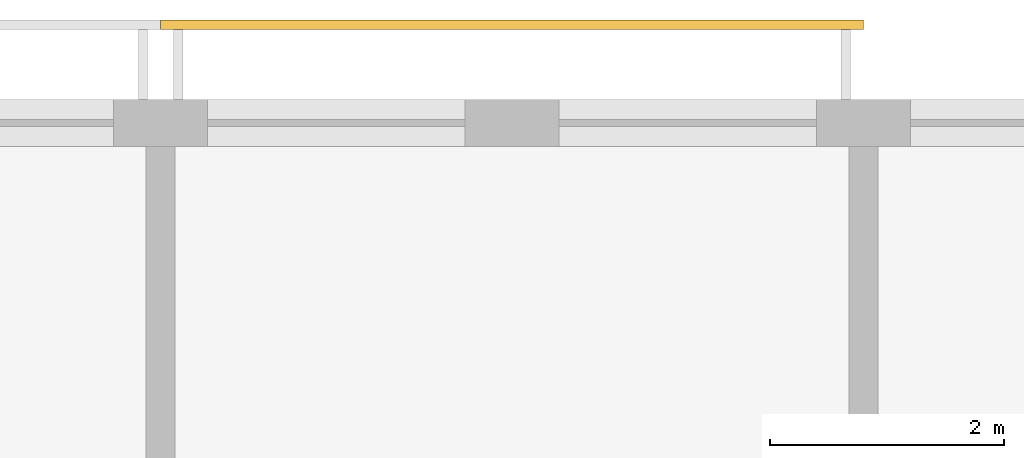
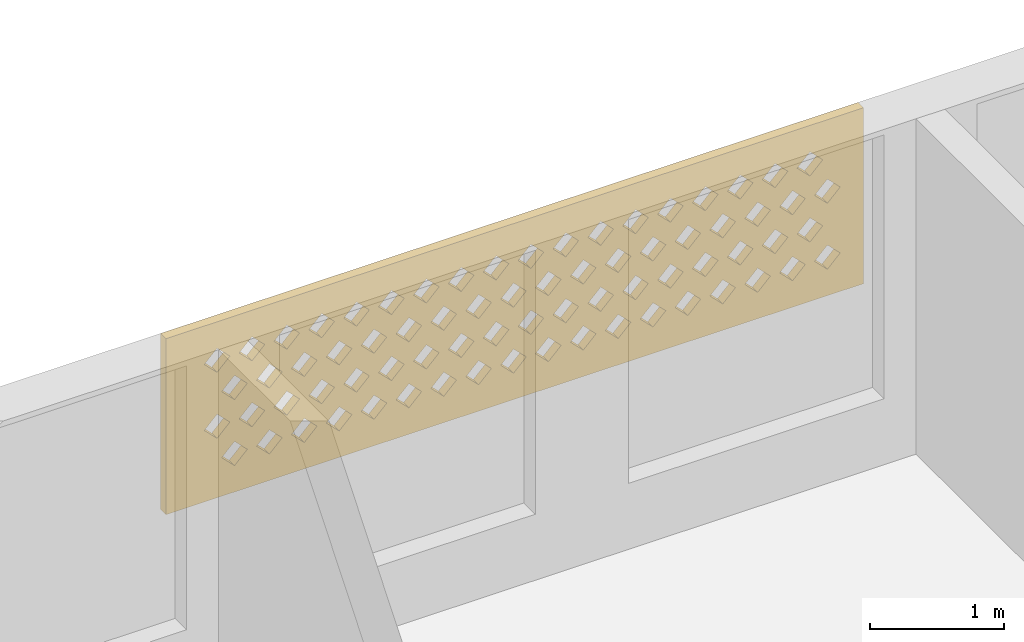
# One storey, part 15 of 18: 1 covering.
"""IFC4 building model written with IfcOpenShell, lengths in metres."""

from ifc_helpers import new_model, si_unit, direction, frame, origin, place, context, subcontext, project, spatial, polyline, outline, extrude, source, transform, mapped, material, material_profile, profile_set, type_object, element, save


model = new_model("IFC4")

# Units and contexts
model_context = context("Model", 3, precision=1e-05, world=origin(), true_north=direction((0.0, 1.0)))
body_context = subcontext(model_context, "Body", "Model", "MODEL_VIEW")
ifc_project = project(units=[si_unit("LENGTHUNIT", "METRE"), si_unit("AREAUNIT", "SQUARE_METRE"), si_unit("VOLUMEUNIT", "CUBIC_METRE"), si_unit("PLANEANGLEUNIT", "RADIAN"), si_unit("MASSUNIT", "GRAM", prefix="KILO")], contexts=[model_context])

# Site, building, storey
site_placement = place(None, origin())
site = spatial("IfcSite", under=ifc_project, at=site_placement, CompositionType="ELEMENT")
building_placement = place(site_placement, origin())
building = spatial("IfcBuilding", under=site, at=building_placement, Name="Poui Terraces", CompositionType="ELEMENT")
storey_placement = place(building_placement, frame((0.0, 0.0, 275.699951171875)))
storey = spatial("IfcBuildingStorey", under=building, at=storey_placement, Name="L76 CROWN", CompositionType="ELEMENT", Elevation=275.699951171875)

# Covering
ifc_material = material(Name="Terracotta screen", Category="masonry")
ifc_material_profile = material_profile(ifc_material, outline(polyline([(-3.0, -0.800048828125), (3.0, -0.800048828125), (3.0, 0.800048828125), (-3.0, 0.800048828125), (-3.0, -0.800048828125)]), holes=[polyline([(-2.800048828125, -0.449951171875), (-2.68994140625, -0.56005859375), (-2.580078125, -0.449951171875), (-2.68994140625, -0.340087890625), (-2.800048828125, -0.449951171875)]), polyline([(-2.5, -0.449951171875), (-2.389892578125, -0.56005859375), (-2.280029296875, -0.449951171875), (-2.389892578125, -0.340087890625), (-2.5, -0.449951171875)]), polyline([(-2.199951171875, -0.449951171875), (-2.090087890625, -0.56005859375), (-1.97998046875, -0.449951171875), (-2.090087890625, -0.340087890625), (-2.199951171875, -0.449951171875)]), polyline([(-1.89990234375, -0.449951171875), (-1.7900390625, -0.56005859375), (-1.679931640625, -0.449951171875), (-1.7900390625, -0.340087890625), (-1.89990234375, -0.449951171875)]), polyline([(-1.60009765625, -0.449951171875), (-1.489990234375, -0.56005859375), (-1.3798828125, -0.449951171875), (-1.489990234375, -0.340087890625), (-1.60009765625, -0.449951171875)]), polyline([(-1.300048828125, -0.449951171875), (-1.18994140625, -0.56005859375), (-1.080078125, -0.449951171875), (-1.18994140625, -0.340087890625), (-1.300048828125, -0.449951171875)]), polyline([(-1.0, -0.449951171875), (-0.889892578125, -0.56005859375), (-0.780029296875, -0.449951171875), (-0.889892578125, -0.340087890625), (-1.0, -0.449951171875)]), polyline([(-0.699951171875, -0.449951171875), (-0.590087890625, -0.56005859375), (-0.47998046875, -0.449951171875), (-0.590087890625, -0.340087890625), (-0.699951171875, -0.449951171875)]), polyline([(-0.39990234375, -0.449951171875), (-0.2900390625, -0.56005859375), (-0.179931640625, -0.449951171875), (-0.2900390625, -0.340087890625), (-0.39990234375, -0.449951171875)]), polyline([(-0.10009765625, -0.449951171875), (0.010009765625, -0.56005859375), (0.1201171875, -0.449951171875), (0.010009765625, -0.340087890625), (-0.10009765625, -0.449951171875)]), polyline([(0.199951171875, -0.449951171875), (0.31005859375, -0.56005859375), (0.419921875, -0.449951171875), (0.31005859375, -0.340087890625), (0.199951171875, -0.449951171875)]), polyline([(0.5, -0.449951171875), (0.610107421875, -0.56005859375), (0.719970703125, -0.449951171875), (0.610107421875, -0.340087890625), (0.5, -0.449951171875)]), polyline([(0.800048828125, -0.449951171875), (0.909912109375, -0.56005859375), (1.02001953125, -0.449951171875), (0.909912109375, -0.340087890625), (0.800048828125, -0.449951171875)]), polyline([(1.10009765625, -0.449951171875), (1.2099609375, -0.56005859375), (1.320068359375, -0.449951171875), (1.2099609375, -0.340087890625), (1.10009765625, -0.449951171875)]), polyline([(1.39990234375, -0.449951171875), (1.510009765625, -0.56005859375), (1.6201171875, -0.449951171875), (1.510009765625, -0.340087890625), (1.39990234375, -0.449951171875)]), polyline([(1.699951171875, -0.449951171875), (1.81005859375, -0.56005859375), (1.919921875, -0.449951171875), (1.81005859375, -0.340087890625), (1.699951171875, -0.449951171875)]), polyline([(2.0, -0.449951171875), (2.110107421875, -0.56005859375), (2.219970703125, -0.449951171875), (2.110107421875, -0.340087890625), (2.0, -0.449951171875)]), polyline([(2.300048828125, -0.449951171875), (2.409912109375, -0.56005859375), (2.52001953125, -0.449951171875), (2.409912109375, -0.340087890625), (2.300048828125, -0.449951171875)]), polyline([(-2.64990234375, -0.14990234375), (-2.5400390625, -0.260009765625), (-2.429931640625, -0.14990234375), (-2.5400390625, -0.0400390625), (-2.64990234375, -0.14990234375)]), polyline([(-2.35009765625, -0.14990234375), (-2.239990234375, -0.260009765625), (-2.1298828125, -0.14990234375), (-2.239990234375, -0.0400390625), (-2.35009765625, -0.14990234375)]), polyline([(-2.050048828125, -0.14990234375), (-1.93994140625, -0.260009765625), (-1.830078125, -0.14990234375), (-1.93994140625, -0.0400390625), (-2.050048828125, -0.14990234375)]), polyline([(-1.75, -0.14990234375), (-1.639892578125, -0.260009765625), (-1.530029296875, -0.14990234375), (-1.639892578125, -0.0400390625), (-1.75, -0.14990234375)]), polyline([(-1.449951171875, -0.14990234375), (-1.340087890625, -0.260009765625), (-1.22998046875, -0.14990234375), (-1.340087890625, -0.0400390625), (-1.449951171875, -0.14990234375)]), polyline([(-1.14990234375, -0.14990234375), (-1.0400390625, -0.260009765625), (-0.929931640625, -0.14990234375), (-1.0400390625, -0.0400390625), (-1.14990234375, -0.14990234375)]), polyline([(-0.85009765625, -0.14990234375), (-0.739990234375, -0.260009765625), (-0.6298828125, -0.14990234375), (-0.739990234375, -0.0400390625), (-0.85009765625, -0.14990234375)]), polyline([(-0.550048828125, -0.14990234375), (-0.43994140625, -0.260009765625), (-0.330078125, -0.14990234375), (-0.43994140625, -0.0400390625), (-0.550048828125, -0.14990234375)]), polyline([(-0.25, -0.14990234375), (-0.139892578125, -0.260009765625), (-0.030029296875, -0.14990234375), (-0.139892578125, -0.0400390625), (-0.25, -0.14990234375)]), polyline([(0.050048828125, -0.14990234375), (0.159912109375, -0.260009765625), (0.27001953125, -0.14990234375), (0.159912109375, -0.0400390625), (0.050048828125, -0.14990234375)]), polyline([(0.35009765625, -0.14990234375), (0.4599609375, -0.260009765625), (0.570068359375, -0.14990234375), (0.4599609375, -0.0400390625), (0.35009765625, -0.14990234375)]), polyline([(0.64990234375, -0.14990234375), (0.760009765625, -0.260009765625), (0.8701171875, -0.14990234375), (0.760009765625, -0.0400390625), (0.64990234375, -0.14990234375)]), polyline([(0.949951171875, -0.14990234375), (1.06005859375, -0.260009765625), (1.169921875, -0.14990234375), (1.06005859375, -0.0400390625), (0.949951171875, -0.14990234375)]), polyline([(1.25, -0.14990234375), (1.360107421875, -0.260009765625), (1.469970703125, -0.14990234375), (1.360107421875, -0.0400390625), (1.25, -0.14990234375)]), polyline([(1.550048828125, -0.14990234375), (1.659912109375, -0.260009765625), (1.77001953125, -0.14990234375), (1.659912109375, -0.0400390625), (1.550048828125, -0.14990234375)]), polyline([(1.85009765625, -0.14990234375), (1.9599609375, -0.260009765625), (2.070068359375, -0.14990234375), (1.9599609375, -0.0400390625), (1.85009765625, -0.14990234375)]), polyline([(2.14990234375, -0.14990234375), (2.260009765625, -0.260009765625), (2.3701171875, -0.14990234375), (2.260009765625, -0.0400390625), (2.14990234375, -0.14990234375)]), polyline([(2.449951171875, -0.14990234375), (2.56005859375, -0.260009765625), (2.669921875, -0.14990234375), (2.56005859375, -0.0400390625), (2.449951171875, -0.14990234375)]), polyline([(-2.800048828125, 0.14990234375), (-2.68994140625, 0.0400390625), (-2.580078125, 0.14990234375), (-2.68994140625, 0.260009765625), (-2.800048828125, 0.14990234375)]), polyline([(-2.5, 0.14990234375), (-2.389892578125, 0.0400390625), (-2.280029296875, 0.14990234375), (-2.389892578125, 0.260009765625), (-2.5, 0.14990234375)]), polyline([(-2.199951171875, 0.14990234375), (-2.090087890625, 0.0400390625), (-1.97998046875, 0.14990234375), (-2.090087890625, 0.260009765625), (-2.199951171875, 0.14990234375)]), polyline([(-1.89990234375, 0.14990234375), (-1.7900390625, 0.0400390625), (-1.679931640625, 0.14990234375), (-1.7900390625, 0.260009765625), (-1.89990234375, 0.14990234375)]), polyline([(-1.60009765625, 0.14990234375), (-1.489990234375, 0.0400390625), (-1.3798828125, 0.14990234375), (-1.489990234375, 0.260009765625), (-1.60009765625, 0.14990234375)]), polyline([(-1.300048828125, 0.14990234375), (-1.18994140625, 0.0400390625), (-1.080078125, 0.14990234375), (-1.18994140625, 0.260009765625), (-1.300048828125, 0.14990234375)]), polyline([(-1.0, 0.14990234375), (-0.889892578125, 0.0400390625), (-0.780029296875, 0.14990234375), (-0.889892578125, 0.260009765625), (-1.0, 0.14990234375)]), polyline([(-0.699951171875, 0.14990234375), (-0.590087890625, 0.0400390625), (-0.47998046875, 0.14990234375), (-0.590087890625, 0.260009765625), (-0.699951171875, 0.14990234375)]), polyline([(-0.39990234375, 0.14990234375), (-0.2900390625, 0.0400390625), (-0.179931640625, 0.14990234375), (-0.2900390625, 0.260009765625), (-0.39990234375, 0.14990234375)]), polyline([(-0.10009765625, 0.14990234375), (0.010009765625, 0.0400390625), (0.1201171875, 0.14990234375), (0.010009765625, 0.260009765625), (-0.10009765625, 0.14990234375)]), polyline([(0.199951171875, 0.14990234375), (0.31005859375, 0.0400390625), (0.419921875, 0.14990234375), (0.31005859375, 0.260009765625), (0.199951171875, 0.14990234375)]), polyline([(0.5, 0.14990234375), (0.610107421875, 0.0400390625), (0.719970703125, 0.14990234375), (0.610107421875, 0.260009765625), (0.5, 0.14990234375)]), polyline([(0.800048828125, 0.14990234375), (0.909912109375, 0.0400390625), (1.02001953125, 0.14990234375), (0.909912109375, 0.260009765625), (0.800048828125, 0.14990234375)]), polyline([(1.10009765625, 0.14990234375), (1.2099609375, 0.0400390625), (1.320068359375, 0.14990234375), (1.2099609375, 0.260009765625), (1.10009765625, 0.14990234375)]), polyline([(1.39990234375, 0.14990234375), (1.510009765625, 0.0400390625), (1.6201171875, 0.14990234375), (1.510009765625, 0.260009765625), (1.39990234375, 0.14990234375)]), polyline([(1.699951171875, 0.14990234375), (1.81005859375, 0.0400390625), (1.919921875, 0.14990234375), (1.81005859375, 0.260009765625), (1.699951171875, 0.14990234375)]), polyline([(2.0, 0.14990234375), (2.110107421875, 0.0400390625), (2.219970703125, 0.14990234375), (2.110107421875, 0.260009765625), (2.0, 0.14990234375)]), polyline([(2.300048828125, 0.14990234375), (2.409912109375, 0.0400390625), (2.52001953125, 0.14990234375), (2.409912109375, 0.260009765625), (2.300048828125, 0.14990234375)]), polyline([(-2.64990234375, 0.449951171875), (-2.5400390625, 0.340087890625), (-2.429931640625, 0.449951171875), (-2.5400390625, 0.56005859375), (-2.64990234375, 0.449951171875)]), polyline([(-2.35009765625, 0.449951171875), (-2.239990234375, 0.340087890625), (-2.1298828125, 0.449951171875), (-2.239990234375, 0.56005859375), (-2.35009765625, 0.449951171875)]), polyline([(-2.050048828125, 0.449951171875), (-1.93994140625, 0.340087890625), (-1.830078125, 0.449951171875), (-1.93994140625, 0.56005859375), (-2.050048828125, 0.449951171875)]), polyline([(-1.75, 0.449951171875), (-1.639892578125, 0.340087890625), (-1.530029296875, 0.449951171875), (-1.639892578125, 0.56005859375), (-1.75, 0.449951171875)]), polyline([(-1.449951171875, 0.449951171875), (-1.340087890625, 0.340087890625), (-1.22998046875, 0.449951171875), (-1.340087890625, 0.56005859375), (-1.449951171875, 0.449951171875)]), polyline([(-1.14990234375, 0.449951171875), (-1.0400390625, 0.340087890625), (-0.929931640625, 0.449951171875), (-1.0400390625, 0.56005859375), (-1.14990234375, 0.449951171875)]), polyline([(-0.85009765625, 0.449951171875), (-0.739990234375, 0.340087890625), (-0.6298828125, 0.449951171875), (-0.739990234375, 0.56005859375), (-0.85009765625, 0.449951171875)]), polyline([(-0.550048828125, 0.449951171875), (-0.43994140625, 0.340087890625), (-0.330078125, 0.449951171875), (-0.43994140625, 0.56005859375), (-0.550048828125, 0.449951171875)]), polyline([(-0.25, 0.449951171875), (-0.139892578125, 0.340087890625), (-0.030029296875, 0.449951171875), (-0.139892578125, 0.56005859375), (-0.25, 0.449951171875)]), polyline([(0.050048828125, 0.449951171875), (0.159912109375, 0.340087890625), (0.27001953125, 0.449951171875), (0.159912109375, 0.56005859375), (0.050048828125, 0.449951171875)]), polyline([(0.35009765625, 0.449951171875), (0.4599609375, 0.340087890625), (0.570068359375, 0.449951171875), (0.4599609375, 0.56005859375), (0.35009765625, 0.449951171875)]), polyline([(0.64990234375, 0.449951171875), (0.760009765625, 0.340087890625), (0.8701171875, 0.449951171875), (0.760009765625, 0.56005859375), (0.64990234375, 0.449951171875)]), polyline([(0.949951171875, 0.449951171875), (1.06005859375, 0.340087890625), (1.169921875, 0.449951171875), (1.06005859375, 0.56005859375), (0.949951171875, 0.449951171875)]), polyline([(1.25, 0.449951171875), (1.360107421875, 0.340087890625), (1.469970703125, 0.449951171875), (1.360107421875, 0.56005859375), (1.25, 0.449951171875)]), polyline([(1.550048828125, 0.449951171875), (1.659912109375, 0.340087890625), (1.77001953125, 0.449951171875), (1.659912109375, 0.56005859375), (1.550048828125, 0.449951171875)]), polyline([(1.85009765625, 0.449951171875), (1.9599609375, 0.340087890625), (2.070068359375, 0.449951171875), (1.9599609375, 0.56005859375), (1.85009765625, 0.449951171875)]), polyline([(2.14990234375, 0.449951171875), (2.260009765625, 0.340087890625), (2.3701171875, 0.449951171875), (2.260009765625, 0.56005859375), (2.14990234375, 0.449951171875)]), polyline([(2.449951171875, 0.449951171875), (2.56005859375, 0.340087890625), (2.669921875, 0.449951171875), (2.56005859375, 0.56005859375), (2.449951171875, 0.449951171875)])]), Name="TERRACOTTA SOLAR SCREEN 6000X1600")
ifc_profile_set = profile_set([ifc_material_profile], Name="Terracotta screen")
covering_type = type_object("IfcCoveringType", Name="TERRACOTTA SOLAR SCREEN 6000X1600", PredefinedType="CLADDING", material=ifc_profile_set)
shared_shape = source(origin(), body_context, "Body", "SweptSolid", [
    extrude(outline(polyline([(-3.0, -0.800048828125), (3.0, -0.800048828125), (3.0, 0.800048828125), (-3.0, 0.800048828125), (-3.0, -0.800048828125)]), holes=[polyline([(-2.800048828125, -0.449951171875), (-2.68994140625, -0.56005859375), (-2.580078125, -0.449951171875), (-2.68994140625, -0.340087890625), (-2.800048828125, -0.449951171875)]), polyline([(-2.5, -0.449951171875), (-2.389892578125, -0.56005859375), (-2.280029296875, -0.449951171875), (-2.389892578125, -0.340087890625), (-2.5, -0.449951171875)]), polyline([(-2.199951171875, -0.449951171875), (-2.090087890625, -0.56005859375), (-1.97998046875, -0.449951171875), (-2.090087890625, -0.340087890625), (-2.199951171875, -0.449951171875)]), polyline([(-1.89990234375, -0.449951171875), (-1.7900390625, -0.56005859375), (-1.679931640625, -0.449951171875), (-1.7900390625, -0.340087890625), (-1.89990234375, -0.449951171875)]), polyline([(-1.60009765625, -0.449951171875), (-1.489990234375, -0.56005859375), (-1.3798828125, -0.449951171875), (-1.489990234375, -0.340087890625), (-1.60009765625, -0.449951171875)]), polyline([(-1.300048828125, -0.449951171875), (-1.18994140625, -0.56005859375), (-1.080078125, -0.449951171875), (-1.18994140625, -0.340087890625), (-1.300048828125, -0.449951171875)]), polyline([(-1.0, -0.449951171875), (-0.889892578125, -0.56005859375), (-0.780029296875, -0.449951171875), (-0.889892578125, -0.340087890625), (-1.0, -0.449951171875)]), polyline([(-0.699951171875, -0.449951171875), (-0.590087890625, -0.56005859375), (-0.47998046875, -0.449951171875), (-0.590087890625, -0.340087890625), (-0.699951171875, -0.449951171875)]), polyline([(-0.39990234375, -0.449951171875), (-0.2900390625, -0.56005859375), (-0.179931640625, -0.449951171875), (-0.2900390625, -0.340087890625), (-0.39990234375, -0.449951171875)]), polyline([(-0.10009765625, -0.449951171875), (0.010009765625, -0.56005859375), (0.1201171875, -0.449951171875), (0.010009765625, -0.340087890625), (-0.10009765625, -0.449951171875)]), polyline([(0.199951171875, -0.449951171875), (0.31005859375, -0.56005859375), (0.419921875, -0.449951171875), (0.31005859375, -0.340087890625), (0.199951171875, -0.449951171875)]), polyline([(0.5, -0.449951171875), (0.610107421875, -0.56005859375), (0.719970703125, -0.449951171875), (0.610107421875, -0.340087890625), (0.5, -0.449951171875)]), polyline([(0.800048828125, -0.449951171875), (0.909912109375, -0.56005859375), (1.02001953125, -0.449951171875), (0.909912109375, -0.340087890625), (0.800048828125, -0.449951171875)]), polyline([(1.10009765625, -0.449951171875), (1.2099609375, -0.56005859375), (1.320068359375, -0.449951171875), (1.2099609375, -0.340087890625), (1.10009765625, -0.449951171875)]), polyline([(1.39990234375, -0.449951171875), (1.510009765625, -0.56005859375), (1.6201171875, -0.449951171875), (1.510009765625, -0.340087890625), (1.39990234375, -0.449951171875)]), polyline([(1.699951171875, -0.449951171875), (1.81005859375, -0.56005859375), (1.919921875, -0.449951171875), (1.81005859375, -0.340087890625), (1.699951171875, -0.449951171875)]), polyline([(2.0, -0.449951171875), (2.110107421875, -0.56005859375), (2.219970703125, -0.449951171875), (2.110107421875, -0.340087890625), (2.0, -0.449951171875)]), polyline([(2.300048828125, -0.449951171875), (2.409912109375, -0.56005859375), (2.52001953125, -0.449951171875), (2.409912109375, -0.340087890625), (2.300048828125, -0.449951171875)]), polyline([(-2.64990234375, -0.14990234375), (-2.5400390625, -0.260009765625), (-2.429931640625, -0.14990234375), (-2.5400390625, -0.0400390625), (-2.64990234375, -0.14990234375)]), polyline([(-2.35009765625, -0.14990234375), (-2.239990234375, -0.260009765625), (-2.1298828125, -0.14990234375), (-2.239990234375, -0.0400390625), (-2.35009765625, -0.14990234375)]), polyline([(-2.050048828125, -0.14990234375), (-1.93994140625, -0.260009765625), (-1.830078125, -0.14990234375), (-1.93994140625, -0.0400390625), (-2.050048828125, -0.14990234375)]), polyline([(-1.75, -0.14990234375), (-1.639892578125, -0.260009765625), (-1.530029296875, -0.14990234375), (-1.639892578125, -0.0400390625), (-1.75, -0.14990234375)]), polyline([(-1.449951171875, -0.14990234375), (-1.340087890625, -0.260009765625), (-1.22998046875, -0.14990234375), (-1.340087890625, -0.0400390625), (-1.449951171875, -0.14990234375)]), polyline([(-1.14990234375, -0.14990234375), (-1.0400390625, -0.260009765625), (-0.929931640625, -0.14990234375), (-1.0400390625, -0.0400390625), (-1.14990234375, -0.14990234375)]), polyline([(-0.85009765625, -0.14990234375), (-0.739990234375, -0.260009765625), (-0.6298828125, -0.14990234375), (-0.739990234375, -0.0400390625), (-0.85009765625, -0.14990234375)]), polyline([(-0.550048828125, -0.14990234375), (-0.43994140625, -0.260009765625), (-0.330078125, -0.14990234375), (-0.43994140625, -0.0400390625), (-0.550048828125, -0.14990234375)]), polyline([(-0.25, -0.14990234375), (-0.139892578125, -0.260009765625), (-0.030029296875, -0.14990234375), (-0.139892578125, -0.0400390625), (-0.25, -0.14990234375)]), polyline([(0.050048828125, -0.14990234375), (0.159912109375, -0.260009765625), (0.27001953125, -0.14990234375), (0.159912109375, -0.0400390625), (0.050048828125, -0.14990234375)]), polyline([(0.35009765625, -0.14990234375), (0.4599609375, -0.260009765625), (0.570068359375, -0.14990234375), (0.4599609375, -0.0400390625), (0.35009765625, -0.14990234375)]), polyline([(0.64990234375, -0.14990234375), (0.760009765625, -0.260009765625), (0.8701171875, -0.14990234375), (0.760009765625, -0.0400390625), (0.64990234375, -0.14990234375)]), polyline([(0.949951171875, -0.14990234375), (1.06005859375, -0.260009765625), (1.169921875, -0.14990234375), (1.06005859375, -0.0400390625), (0.949951171875, -0.14990234375)]), polyline([(1.25, -0.14990234375), (1.360107421875, -0.260009765625), (1.469970703125, -0.14990234375), (1.360107421875, -0.0400390625), (1.25, -0.14990234375)]), polyline([(1.550048828125, -0.14990234375), (1.659912109375, -0.260009765625), (1.77001953125, -0.14990234375), (1.659912109375, -0.0400390625), (1.550048828125, -0.14990234375)]), polyline([(1.85009765625, -0.14990234375), (1.9599609375, -0.260009765625), (2.070068359375, -0.14990234375), (1.9599609375, -0.0400390625), (1.85009765625, -0.14990234375)]), polyline([(2.14990234375, -0.14990234375), (2.260009765625, -0.260009765625), (2.3701171875, -0.14990234375), (2.260009765625, -0.0400390625), (2.14990234375, -0.14990234375)]), polyline([(2.449951171875, -0.14990234375), (2.56005859375, -0.260009765625), (2.669921875, -0.14990234375), (2.56005859375, -0.0400390625), (2.449951171875, -0.14990234375)]), polyline([(-2.800048828125, 0.14990234375), (-2.68994140625, 0.0400390625), (-2.580078125, 0.14990234375), (-2.68994140625, 0.260009765625), (-2.800048828125, 0.14990234375)]), polyline([(-2.5, 0.14990234375), (-2.389892578125, 0.0400390625), (-2.280029296875, 0.14990234375), (-2.389892578125, 0.260009765625), (-2.5, 0.14990234375)]), polyline([(-2.199951171875, 0.14990234375), (-2.090087890625, 0.0400390625), (-1.97998046875, 0.14990234375), (-2.090087890625, 0.260009765625), (-2.199951171875, 0.14990234375)]), polyline([(-1.89990234375, 0.14990234375), (-1.7900390625, 0.0400390625), (-1.679931640625, 0.14990234375), (-1.7900390625, 0.260009765625), (-1.89990234375, 0.14990234375)]), polyline([(-1.60009765625, 0.14990234375), (-1.489990234375, 0.0400390625), (-1.3798828125, 0.14990234375), (-1.489990234375, 0.260009765625), (-1.60009765625, 0.14990234375)]), polyline([(-1.300048828125, 0.14990234375), (-1.18994140625, 0.0400390625), (-1.080078125, 0.14990234375), (-1.18994140625, 0.260009765625), (-1.300048828125, 0.14990234375)]), polyline([(-1.0, 0.14990234375), (-0.889892578125, 0.0400390625), (-0.780029296875, 0.14990234375), (-0.889892578125, 0.260009765625), (-1.0, 0.14990234375)]), polyline([(-0.699951171875, 0.14990234375), (-0.590087890625, 0.0400390625), (-0.47998046875, 0.14990234375), (-0.590087890625, 0.260009765625), (-0.699951171875, 0.14990234375)]), polyline([(-0.39990234375, 0.14990234375), (-0.2900390625, 0.0400390625), (-0.179931640625, 0.14990234375), (-0.2900390625, 0.260009765625), (-0.39990234375, 0.14990234375)]), polyline([(-0.10009765625, 0.14990234375), (0.010009765625, 0.0400390625), (0.1201171875, 0.14990234375), (0.010009765625, 0.260009765625), (-0.10009765625, 0.14990234375)]), polyline([(0.199951171875, 0.14990234375), (0.31005859375, 0.0400390625), (0.419921875, 0.14990234375), (0.31005859375, 0.260009765625), (0.199951171875, 0.14990234375)]), polyline([(0.5, 0.14990234375), (0.610107421875, 0.0400390625), (0.719970703125, 0.14990234375), (0.610107421875, 0.260009765625), (0.5, 0.14990234375)]), polyline([(0.800048828125, 0.14990234375), (0.909912109375, 0.0400390625), (1.02001953125, 0.14990234375), (0.909912109375, 0.260009765625), (0.800048828125, 0.14990234375)]), polyline([(1.10009765625, 0.14990234375), (1.2099609375, 0.0400390625), (1.320068359375, 0.14990234375), (1.2099609375, 0.260009765625), (1.10009765625, 0.14990234375)]), polyline([(1.39990234375, 0.14990234375), (1.510009765625, 0.0400390625), (1.6201171875, 0.14990234375), (1.510009765625, 0.260009765625), (1.39990234375, 0.14990234375)]), polyline([(1.699951171875, 0.14990234375), (1.81005859375, 0.0400390625), (1.919921875, 0.14990234375), (1.81005859375, 0.260009765625), (1.699951171875, 0.14990234375)]), polyline([(2.0, 0.14990234375), (2.110107421875, 0.0400390625), (2.219970703125, 0.14990234375), (2.110107421875, 0.260009765625), (2.0, 0.14990234375)]), polyline([(2.300048828125, 0.14990234375), (2.409912109375, 0.0400390625), (2.52001953125, 0.14990234375), (2.409912109375, 0.260009765625), (2.300048828125, 0.14990234375)]), polyline([(-2.64990234375, 0.449951171875), (-2.5400390625, 0.340087890625), (-2.429931640625, 0.449951171875), (-2.5400390625, 0.56005859375), (-2.64990234375, 0.449951171875)]), polyline([(-2.35009765625, 0.449951171875), (-2.239990234375, 0.340087890625), (-2.1298828125, 0.449951171875), (-2.239990234375, 0.56005859375), (-2.35009765625, 0.449951171875)]), polyline([(-2.050048828125, 0.449951171875), (-1.93994140625, 0.340087890625), (-1.830078125, 0.449951171875), (-1.93994140625, 0.56005859375), (-2.050048828125, 0.449951171875)]), polyline([(-1.75, 0.449951171875), (-1.639892578125, 0.340087890625), (-1.530029296875, 0.449951171875), (-1.639892578125, 0.56005859375), (-1.75, 0.449951171875)]), polyline([(-1.449951171875, 0.449951171875), (-1.340087890625, 0.340087890625), (-1.22998046875, 0.449951171875), (-1.340087890625, 0.56005859375), (-1.449951171875, 0.449951171875)]), polyline([(-1.14990234375, 0.449951171875), (-1.0400390625, 0.340087890625), (-0.929931640625, 0.449951171875), (-1.0400390625, 0.56005859375), (-1.14990234375, 0.449951171875)]), polyline([(-0.85009765625, 0.449951171875), (-0.739990234375, 0.340087890625), (-0.6298828125, 0.449951171875), (-0.739990234375, 0.56005859375), (-0.85009765625, 0.449951171875)]), polyline([(-0.550048828125, 0.449951171875), (-0.43994140625, 0.340087890625), (-0.330078125, 0.449951171875), (-0.43994140625, 0.56005859375), (-0.550048828125, 0.449951171875)]), polyline([(-0.25, 0.449951171875), (-0.139892578125, 0.340087890625), (-0.030029296875, 0.449951171875), (-0.139892578125, 0.56005859375), (-0.25, 0.449951171875)]), polyline([(0.050048828125, 0.449951171875), (0.159912109375, 0.340087890625), (0.27001953125, 0.449951171875), (0.159912109375, 0.56005859375), (0.050048828125, 0.449951171875)]), polyline([(0.35009765625, 0.449951171875), (0.4599609375, 0.340087890625), (0.570068359375, 0.449951171875), (0.4599609375, 0.56005859375), (0.35009765625, 0.449951171875)]), polyline([(0.64990234375, 0.449951171875), (0.760009765625, 0.340087890625), (0.8701171875, 0.449951171875), (0.760009765625, 0.56005859375), (0.64990234375, 0.449951171875)]), polyline([(0.949951171875, 0.449951171875), (1.06005859375, 0.340087890625), (1.169921875, 0.449951171875), (1.06005859375, 0.56005859375), (0.949951171875, 0.449951171875)]), polyline([(1.25, 0.449951171875), (1.360107421875, 0.340087890625), (1.469970703125, 0.449951171875), (1.360107421875, 0.56005859375), (1.25, 0.449951171875)]), polyline([(1.550048828125, 0.449951171875), (1.659912109375, 0.340087890625), (1.77001953125, 0.449951171875), (1.659912109375, 0.56005859375), (1.550048828125, 0.449951171875)]), polyline([(1.85009765625, 0.449951171875), (1.9599609375, 0.340087890625), (2.070068359375, 0.449951171875), (1.9599609375, 0.56005859375), (1.85009765625, 0.449951171875)]), polyline([(2.14990234375, 0.449951171875), (2.260009765625, 0.340087890625), (2.3701171875, 0.449951171875), (2.260009765625, 0.56005859375), (2.14990234375, 0.449951171875)]), polyline([(2.449951171875, 0.449951171875), (2.56005859375, 0.340087890625), (2.669921875, 0.449951171875), (2.56005859375, 0.56005859375), (2.449951171875, 0.449951171875)])]), origin(), (0.0, 0.0, 1.0), 0.080078125),
])
covering_placement = place(storey_placement, frame((39.0, 42.0, 1.699951171875), z_axis=(0.0, 1.0, 0.0), x_axis=(-1.0, 0.0, 0.0)))
element("IfcCovering", 1, at=covering_placement, inside=storey, type_object=covering_type, Name="SOLAR SCREEN", PredefinedType="CLADDING", context=body_context, shape_type="MappedRepresentation", body=[
    mapped(shared_shape, transform((0.0, 0.0, 0.0))),
])

save(model, "model.ifc")
